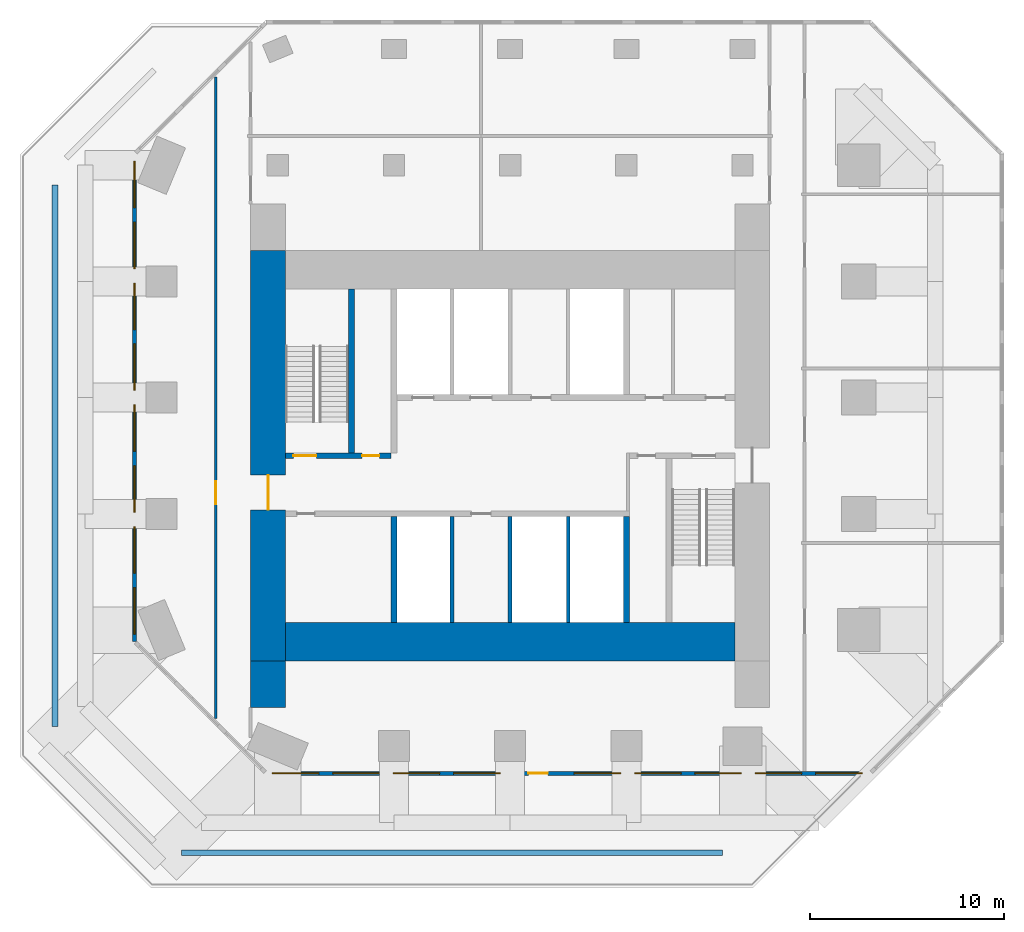
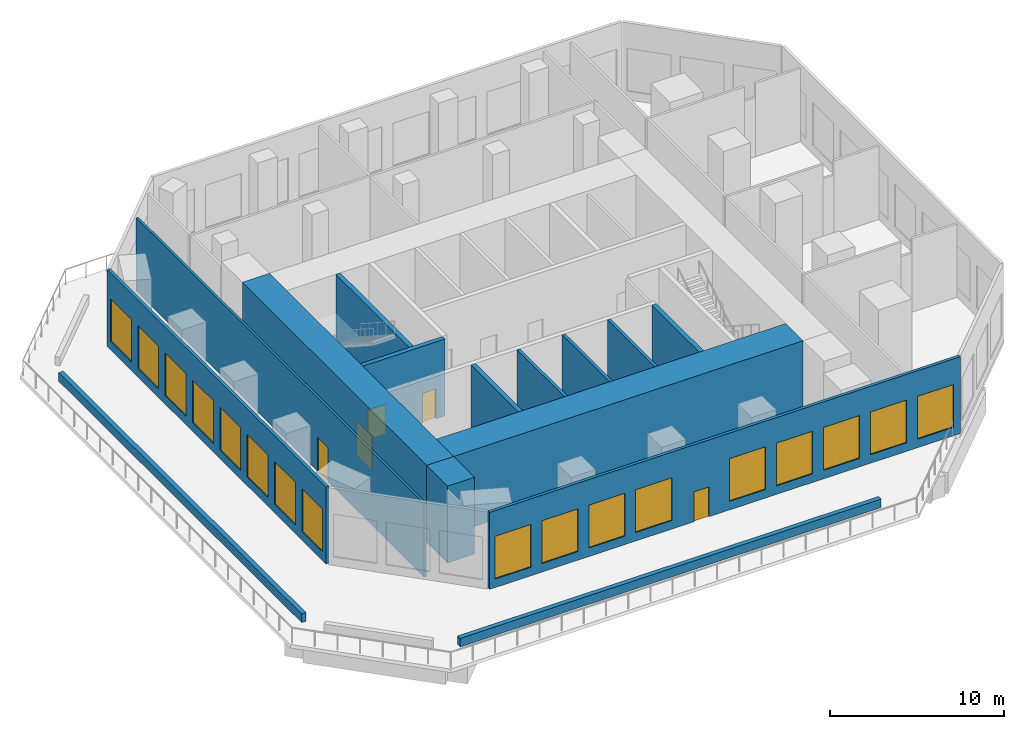
# One storey, part 2 of 6: 17 windows, 15 walls, 5 doors, 22 openings.
"""IFC4 building model written with IfcOpenShell, lengths in metres."""

from ifc_helpers import new_model, si_unit, direction, frame, frame_2d, origin, place, context, subcontext, project, spatial, rectangle, extrude, material, layer, layer_set, type_object, element, fill, save


model = new_model("IFC4")

# Units and contexts
model_context = context("Model", 3, precision=1e-05, world=origin(), true_north=direction((0.0, 1.0)))
body_context = subcontext(model_context, "Body", "Model", "MODEL_VIEW")
ifc_project = project(units=[si_unit("LENGTHUNIT", "METRE"), si_unit("AREAUNIT", "SQUARE_METRE"), si_unit("VOLUMEUNIT", "CUBIC_METRE"), si_unit("PLANEANGLEUNIT", "RADIAN"), si_unit("MASSUNIT", "GRAM", prefix="KILO")], contexts=[model_context])

# Site, building, storey
site_placement = place(None, origin())
site = spatial("IfcSite", under=ifc_project, at=site_placement, CompositionType="ELEMENT")
building_placement = place(site_placement, origin())
building = spatial("IfcBuilding", under=site, at=building_placement, Name="Highveld Stack Headquarters", CompositionType="ELEMENT")
storey_placement = place(building_placement, frame((0.0, 0.0, 239.60009765625)))
storey = spatial("IfcBuildingStorey", under=building, at=storey_placement, Name="L59", CompositionType="ELEMENT", Elevation=239.60009765625)

# Wall, opening, door
ifc_material_1 = material(Name="Concrete C60/75", Category="concrete")
ifc_layer_1 = layer(ifc_material_1, 1.800048828125)
ifc_layer_set_1 = layer_set([ifc_layer_1], Name="Concrete C60/75")
wall_type_1 = type_object("IfcWallType", Name="CORE WALL 1800 C60/75", PredefinedType="SHEAR", material=ifc_layer_set_1)
wall_1_placement = place(storey_placement, frame((-6.5, -7.60009765625, 0.0), z_axis=(0.0, 0.0, 1.0), x_axis=(0.0, 1.0, 0.0)))
wall_1 = element("IfcWall", 1, at=wall_1_placement, inside=storey, type_object=wall_type_1, Name="Core wall W L59", PredefinedType="SHEAR", context=body_context, shape_type="SweptSolid", body=[
    extrude(rectangle(XDim=21.2001953125, YDim=1.800048828125, at=frame_2d((10.60009765625, 0.0))), origin(), (0.0, 0.0, 1.0), 5.39990234375),
])
opening_1_placement = place(wall_1_placement, frame((7.800048828125, 0.0, 0.0)))
opening_1 = element("IfcOpeningElement", 2, at=opening_1_placement, cuts=wall_1, Name="Opening L59-02", PredefinedType="OPENING", context=body_context, shape_type="SweptSolid", body=[
    extrude(rectangle(XDim=1.800048828125, YDim=2.39990234375, at=frame_2d((0.89990234375, 1.199951171875))), frame((0.0, 0.909912109375, 0.0), z_axis=(0.0, -1.0, 0.0), x_axis=(1.0, 0.0, 0.0)), (0.0, 0.0, 1.0), 1.820068359375),
])
ifc_material_2 = material(Name="Steel fire door", Category="steel")
door_type_1 = type_object("IfcDoorType", Name="LOBBY FIRE DOOR D4 1800x2400", OperationType="DOUBLE_DOOR_SINGLE_SWING", PredefinedType="DOOR", material=ifc_material_2)
door_1_placement = place(opening_1_placement, origin())
door_1 = element("IfcDoor", 3, at=door_1_placement, inside=storey, type_object=door_type_1, Name="Core west door L59", OperationType="DOUBLE_DOOR_SINGLE_SWING", OverallHeight=2.39990234375, OverallWidth=1.800048828125, PredefinedType="DOOR", context=body_context, shape_type="SweptSolid", body=[
    extrude(rectangle(XDim=1.800048828125, YDim=2.39990234375, at=frame_2d((0.89990234375, 1.199951171875))), frame((0.0, 0.02490234375, 0.0), z_axis=(0.0, -1.0, 0.0), x_axis=(1.0, 0.0, 0.0)), (0.0, 0.0, 1.0), 0.050048828125),
])
fill(opening_1, door_1)

# Wall
ifc_material_3 = material(Name="Concrete C60/75", Category="concrete")
ifc_layer_2 = layer(ifc_material_3, 2.0)
ifc_layer_set_2 = layer_set([ifc_layer_2], Name="Concrete C60/75")
wall_type_2 = type_object("IfcWallType", Name="CORE WALL 2000 C60/75", PredefinedType="SHEAR", material=ifc_layer_set_2)
wall_2_placement = place(storey_placement, frame((-5.60009765625, -6.60009765625, 0.0), z_axis=(0.0, 0.0, 1.0), x_axis=(1.0, 0.0, 0.0)))
element("IfcWall", 4, at=wall_2_placement, inside=storey, type_object=wall_type_2, Name="Core wall S L59", PredefinedType="SHEAR", context=body_context, shape_type="SweptSolid", body=[
    extrude(rectangle(XDim=23.2001953125, YDim=2.0, at=frame_2d((11.60009765625, 0.0))), origin(), (0.0, 0.0, 1.0), 5.39990234375),
])

# Wall, openings, doors
ifc_material_4 = material(Name="Concrete C60/75", Category="concrete")
ifc_layer_3 = layer(ifc_material_4, 0.300048828125)
ifc_layer_set_3 = layer_set([ifc_layer_3], Name="Concrete C60/75")
wall_type_3 = type_object("IfcWallType", Name="CORE WALL 300 C60/75", PredefinedType="SHEAR", material=ifc_layer_set_3)
wall_3_placement = place(storey_placement, frame((-5.60009765625, 3.0, 0.0), z_axis=(0.0, 0.0, 1.0), x_axis=(1.0, 0.0, 0.0)))
wall_3 = element("IfcWall", 5, at=wall_3_placement, inside=storey, type_object=wall_type_3, Name="Core wall I-Y3W L59", PredefinedType="SHEAR", context=body_context, shape_type="SweptSolid", body=[
    extrude(rectangle(XDim=5.4501953125, YDim=0.300048828125, at=frame_2d((2.72509765625, 0.0))), origin(), (0.0, 0.0, 1.0), 5.39990234375),
])
opening_2_placement = place(wall_3_placement, frame((0.39990234375, 0.0, 0.0)))
opening_2 = element("IfcOpeningElement", 6, at=opening_2_placement, cuts=wall_3, Name="Opening L59-04", PredefinedType="OPENING", context=body_context, shape_type="SweptSolid", body=[
    extrude(rectangle(XDim=1.199951171875, YDim=2.10009765625, at=frame_2d((0.60009765625, 1.050048828125))), frame((0.0, 0.159912109375, 0.0), z_axis=(0.0, -1.0, 0.0), x_axis=(1.0, 0.0, 0.0)), (0.0, 0.0, 1.0), 0.320068359375),
])
opening_3_placement = place(wall_3_placement, frame((3.949951171875, 0.0, 0.0)))
opening_3 = element("IfcOpeningElement", 7, at=opening_3_placement, cuts=wall_3, Name="Opening L59-05", PredefinedType="OPENING", context=body_context, shape_type="SweptSolid", body=[
    extrude(rectangle(XDim=0.89990234375, YDim=2.10009765625, at=frame_2d((0.449951171875, 1.050048828125))), frame((0.0, 0.159912109375, 0.0), z_axis=(0.0, -1.0, 0.0), x_axis=(1.0, 0.0, 0.0)), (0.0, 0.0, 1.0), 0.320068359375),
])
ifc_material_5 = material(Name="Steel fire door", Category="steel")
door_type_2 = type_object("IfcDoorType", Name="RISER ACCESS DOOR D5 900x2100", OperationType="SINGLE_SWING_LEFT", PredefinedType="DOOR", material=ifc_material_5)
door_2_placement = place(opening_3_placement, origin())
door_2 = element("IfcDoor", 8, at=door_2_placement, inside=storey, type_object=door_type_2, Name="Riser R1 door L59", OperationType="SINGLE_SWING_RIGHT", OverallHeight=2.10009765625, OverallWidth=0.89990234375, PredefinedType="DOOR", context=body_context, shape_type="SweptSolid", body=[
    extrude(rectangle(XDim=0.89990234375, YDim=2.10009765625, at=frame_2d((0.449951171875, 1.050048828125))), frame((0.0, 0.02490234375, 0.0), z_axis=(0.0, -1.0, 0.0), x_axis=(1.0, 0.0, 0.0)), (0.0, 0.0, 1.0), 0.050048828125),
])
fill(opening_3, door_2)
ifc_material_6 = material(Name="Steel fire door", Category="steel")
door_type_3 = type_object("IfcDoorType", Name="STAIR FIRE DOOR D3 1200x2100", OperationType="SINGLE_SWING_LEFT", PredefinedType="DOOR", material=ifc_material_6)
door_3_placement = place(opening_2_placement, origin())
door_3 = element("IfcDoor", 9, at=door_3_placement, inside=storey, type_object=door_type_3, Name="Stair S1 door L59", OperationType="SINGLE_SWING_LEFT", OverallHeight=2.10009765625, OverallWidth=1.199951171875, PredefinedType="DOOR", context=body_context, shape_type="SweptSolid", body=[
    extrude(rectangle(XDim=1.199951171875, YDim=2.10009765625, at=frame_2d((0.60009765625, 1.050048828125))), frame((0.0, 0.02490234375, 0.0), z_axis=(0.0, -1.0, 0.0), x_axis=(1.0, 0.0, 0.0)), (0.0, 0.0, 1.0), 0.050048828125),
])
fill(opening_2, door_3)

# Walls
for number, where, z_axis, x_axis, name in (
    (10, (0.0, -5.60009765625, 0.0), (0.0, 0.0, 1.0), (0.0, 1.0, 0.0), "Core wall I-X0S L59"),
    (11, (12.0, -5.60009765625, 0.0), (0.0, 0.0, 1.0), (0.0, 1.0, 0.0), "Core wall I-X12S L59"),
):
    element("IfcWall", number, at=place(storey_placement, frame(where, z_axis=z_axis, x_axis=x_axis)), inside=storey, type_object=wall_type_3, Name=name, PredefinedType="SHEAR", context=body_context, shape_type="SweptSolid", body=[
        extrude(rectangle(XDim=5.4501953125, YDim=0.300048828125, at=frame_2d((2.72509765625, 0.0))), origin(), (0.0, 0.0, 1.0), 5.39990234375),
    ])
wall_4_placement = place(storey_placement, frame((-2.199951171875, 3.14990234375, 0.0), z_axis=(0.0, 0.0, 1.0), x_axis=(0.0, 1.0, 0.0)))
element("IfcWall", 12, at=wall_4_placement, inside=storey, type_object=wall_type_3, Name="Core wall I-RW L59", PredefinedType="SHEAR", context=body_context, shape_type="SweptSolid", body=[
    extrude(rectangle(XDim=8.4501953125, YDim=0.300048828125, at=frame_2d((4.22509765625, 0.0))), origin(), (0.0, 0.0, 1.0), 5.39990234375),
])
ifc_material_7 = material(Name="Concrete C60/75", Category="concrete")
ifc_layer_4 = layer(ifc_material_7, 1.800048828125)
ifc_layer_set_4 = layer_set([ifc_layer_4], Name="Concrete C60/75")
wall_type_4 = type_object("IfcWallType", Name="CORE WING WALL 1800 C60/75", PredefinedType="SHEAR", material=ifc_layer_set_4)
wall_5_placement = place(storey_placement, frame((-6.5, -10.0, 0.0), z_axis=(0.0, 0.0, 1.0), x_axis=(0.0, 1.0, 0.0)))
element("IfcWall", 13, at=wall_5_placement, inside=storey, type_object=wall_type_4, Name="Core wing wall WS L59", PredefinedType="SHEAR", context=body_context, shape_type="SweptSolid", body=[
    extrude(rectangle(XDim=2.39990234375, YDim=1.800048828125, at=frame_2d((1.199951171875, 0.0))), origin(), (0.0, 0.0, 1.0), 5.39990234375),
])

# Wall, opening, door
ifc_material_8 = material(Name="Concrete blockwork, plastered", Category="masonry")
ifc_layer_5 = layer(ifc_material_8, 0.14990234375)
ifc_layer_set_5 = layer_set([ifc_layer_5], Name="Concrete blockwork, plastered")
wall_type_5 = type_object("IfcWallType", Name="FIRE PARTITION 150 BLOCKWORK", PredefinedType="PARTITIONING", material=ifc_layer_set_5)
wall_6_placement = place(storey_placement, frame((-9.199951171875, -10.555908203125, 0.0), z_axis=(0.0, 0.0, 1.0), x_axis=(0.0, 1.0, 0.0)))
wall_6 = element("IfcWall", 14, at=wall_6_placement, inside=storey, type_object=wall_type_5, Name="Partition office neighbourhood L59", PredefinedType="PARTITIONING", context=body_context, shape_type="SweptSolid", body=[
    extrude(rectangle(XDim=33.11181640625, YDim=0.14990234375, at=frame_2d((16.555908203125, 0.0))), origin(), (0.0, 0.0, 1.0), 5.14990234375),
])
opening_4_placement = place(wall_6_placement, frame((11.049072265625, 0.0, 0.0)))
opening_4 = element("IfcOpeningElement", 15, at=opening_4_placement, cuts=wall_6, Name="Opening L59-15", PredefinedType="OPENING", context=body_context, shape_type="SweptSolid", body=[
    extrude(rectangle(XDim=1.199951171875, YDim=2.39990234375, at=frame_2d((0.60009765625, 1.199951171875))), frame((0.0, 0.0849609375, 0.0), z_axis=(0.0, -1.0, 0.0), x_axis=(1.0, 0.0, 0.0)), (0.0, 0.0, 1.0), 0.169921875),
])
ifc_material_9 = material(Name="Steel fire door", Category="steel")
door_type_4 = type_object("IfcDoorType", Name="PLANT FIRE DOOR D7 1200x2400", OperationType="SINGLE_SWING_LEFT", PredefinedType="DOOR", material=ifc_material_9)
door_4_placement = place(opening_4_placement, origin())
door_4 = element("IfcDoor", 16, at=door_4_placement, inside=storey, type_object=door_type_4, Name="Plant room door L59", OperationType="SINGLE_SWING_LEFT", OverallHeight=2.39990234375, OverallWidth=1.199951171875, PredefinedType="DOOR", context=body_context, shape_type="SweptSolid", body=[
    extrude(rectangle(XDim=1.199951171875, YDim=2.39990234375, at=frame_2d((0.60009765625, 1.199951171875))), frame((0.0, 0.02490234375, 0.0), z_axis=(0.0, -1.0, 0.0), x_axis=(1.0, 0.0, 0.0)), (0.0, 0.0, 1.0), 0.050048828125),
])
fill(opening_4, door_4)

# Walls
ifc_material_10 = material(Name="Concrete blockwork, fair-faced", Category="masonry")
ifc_layer_6 = layer(ifc_material_10, 0.199951171875)
ifc_layer_set_6 = layer_set([ifc_layer_6], Name="Concrete blockwork, fair-faced")
wall_type_6 = type_object("IfcWallType", Name="LIFT SHAFT ENCLOSURE WALL 200 BLOCKWORK", PredefinedType="SOLIDWALL", material=ifc_layer_set_6)
for number, where, z_axis, x_axis, name in (
    (17, (3.0, -5.60009765625, 0.0), (0.0, 0.0, 1.0), (0.0, 1.0, 0.0), "Lift shaft wall L59"),
    (18, (6.0, -5.60009765625, 0.0), (0.0, 0.0, 1.0), (0.0, 1.0, 0.0), "Lift shaft wall L59"),
    (19, (9.0, -5.60009765625, 0.0), (0.0, 0.0, 1.0), (0.0, 1.0, 0.0), "Lift shaft wall L59"),
):
    element("IfcWall", number, at=place(storey_placement, frame(where, z_axis=z_axis, x_axis=x_axis)), inside=storey, type_object=wall_type_6, Name=name, PredefinedType="SOLIDWALL", context=body_context, shape_type="SweptSolid", body=[
        extrude(rectangle(XDim=5.4501953125, YDim=0.199951171875, at=frame_2d((2.72509765625, 0.0))), origin(), (0.0, 0.0, 1.0), 5.39990234375),
    ])
ifc_material_11 = material(Name="Concrete C40/50, precast planter", Category="concrete")
ifc_layer_7 = layer(ifc_material_11, 0.300048828125)
ifc_layer_set_7 = layer_set([ifc_layer_7], Name="Concrete C40/50, precast planter")
wall_type_7 = type_object("IfcWallType", Name="PLANTER WALL PL1 300", PredefinedType="USERDEFINED", material=ifc_layer_set_7)
for number, where, z_axis, x_axis, name in (
    (20, (16.976318359375, -17.5, 0.0), (0.0, 0.0, 1.0), (-1.0, 0.0, 0.0), "Planter L59 1.2"),
    (21, (-17.5, -10.976318359375, 0.0), (0.0, 0.0, 1.0), (0.0, 1.0, 0.0), "Planter L59 1.4"),
):
    element("IfcWall", number, at=place(storey_placement, frame(where, z_axis=z_axis, x_axis=x_axis)), inside=storey, type_object=wall_type_7, Name=name, ObjectType="PLANTER", PredefinedType="USERDEFINED", context=body_context, shape_type="SweptSolid", body=[
        extrude(rectangle(XDim=27.95263671875, YDim=0.300048828125, at=frame_2d((13.976318359375, 0.0))), origin(), (0.0, 0.0, 1.0), 0.599853515625),
    ])

# Wall, openings, windows, door
ifc_material_12 = material(Name="Concrete C40/50, precast cladding", Category="concrete")
ifc_layer_8 = layer(ifc_material_12, 0.199951171875)
ifc_layer_set_8 = layer_set([ifc_layer_8], Name="Concrete C40/50, precast cladding")
wall_type_8 = type_object("IfcWallType", Name="PRECAST LOUVRE WALL 200", PredefinedType="USERDEFINED", material=ifc_layer_set_8)
wall_7_placement = place(storey_placement, frame((-6.6298828125, -13.39990234375, 0.0), z_axis=(0.0, 0.0, 1.0), x_axis=(1.0, 0.0, 0.0)))
wall_7 = element("IfcWall", 22, at=wall_7_placement, inside=storey, type_object=wall_type_8, Name="Precast louvre wall L59 S", ObjectType="PRECAST CLADDING", PredefinedType="USERDEFINED", context=body_context, shape_type="SweptSolid", body=[
    extrude(rectangle(XDim=31.259765625, YDim=0.199951171875, at=frame_2d((15.6298828125, 0.0))), origin(), (0.0, 0.0, 1.0), 5.39990234375),
])
opening_5_placement = place(wall_7_placement, frame((0.35791015625, 0.0, 0.60009765625)))
opening_5 = element("IfcOpeningElement", 23, at=opening_5_placement, cuts=wall_7, Name="Opening L1", PredefinedType="OPENING", context=body_context, shape_type="SweptSolid", body=[
    extrude(rectangle(XDim=2.39990234375, YDim=3.0, at=frame_2d((1.199951171875, 1.5))), frame((0.0, 0.10986328125, 0.0), z_axis=(0.0, -1.0, 0.0), x_axis=(1.0, 0.0, 0.0)), (0.0, 0.0, 1.0), 0.219970703125),
])
opening_6_placement = place(wall_7_placement, frame((3.47412109375, 0.0, 0.60009765625)))
opening_6 = element("IfcOpeningElement", 24, at=opening_6_placement, cuts=wall_7, Name="Opening L1", PredefinedType="OPENING", context=body_context, shape_type="SweptSolid", body=[
    extrude(rectangle(XDim=2.39990234375, YDim=3.0, at=frame_2d((1.199951171875, 1.5))), frame((0.0, 0.10986328125, 0.0), z_axis=(0.0, -1.0, 0.0), x_axis=(1.0, 0.0, 0.0)), (0.0, 0.0, 1.0), 0.219970703125),
])
opening_7_placement = place(wall_7_placement, frame((6.58984375, 0.0, 0.60009765625)))
opening_7 = element("IfcOpeningElement", 25, at=opening_7_placement, cuts=wall_7, Name="Opening L1", PredefinedType="OPENING", context=body_context, shape_type="SweptSolid", body=[
    extrude(rectangle(XDim=2.39990234375, YDim=3.0, at=frame_2d((1.199951171875, 1.5))), frame((0.0, 0.10986328125, 0.0), z_axis=(0.0, -1.0, 0.0), x_axis=(1.0, 0.0, 0.0)), (0.0, 0.0, 1.0), 0.219970703125),
])
opening_8_placement = place(wall_7_placement, frame((9.705810546875, 0.0, 0.60009765625)))
opening_8 = element("IfcOpeningElement", 26, at=opening_8_placement, cuts=wall_7, Name="Opening L1", PredefinedType="OPENING", context=body_context, shape_type="SweptSolid", body=[
    extrude(rectangle(XDim=2.39990234375, YDim=3.0, at=frame_2d((1.199951171875, 1.5))), frame((0.0, 0.10986328125, 0.0), z_axis=(0.0, -1.0, 0.0), x_axis=(1.0, 0.0, 0.0)), (0.0, 0.0, 1.0), 0.219970703125),
])
opening_9_placement = place(wall_7_placement, frame((13.572021484375, 0.0, 0.0)))
opening_9 = element("IfcOpeningElement", 27, at=opening_9_placement, cuts=wall_7, Name="Opening L59-01", PredefinedType="OPENING", context=body_context, shape_type="SweptSolid", body=[
    extrude(rectangle(XDim=1.0, YDim=2.10009765625, at=frame_2d((0.5, 1.050048828125))), frame((0.0, 0.10986328125, 0.0), z_axis=(0.0, -1.0, 0.0), x_axis=(1.0, 0.0, 0.0)), (0.0, 0.0, 1.0), 0.219970703125),
])
opening_10_placement = place(wall_7_placement, frame((15.93798828125, 0.0, 0.60009765625)))
opening_10 = element("IfcOpeningElement", 28, at=opening_10_placement, cuts=wall_7, Name="Opening L1", PredefinedType="OPENING", context=body_context, shape_type="SweptSolid", body=[
    extrude(rectangle(XDim=2.39990234375, YDim=3.0, at=frame_2d((1.199951171875, 1.5))), frame((0.0, 0.10986328125, 0.0), z_axis=(0.0, -1.0, 0.0), x_axis=(1.0, 0.0, 0.0)), (0.0, 0.0, 1.0), 0.219970703125),
])
opening_11_placement = place(wall_7_placement, frame((19.053955078125, 0.0, 0.60009765625)))
opening_11 = element("IfcOpeningElement", 29, at=opening_11_placement, cuts=wall_7, Name="Opening L1", PredefinedType="OPENING", context=body_context, shape_type="SweptSolid", body=[
    extrude(rectangle(XDim=2.39990234375, YDim=3.0, at=frame_2d((1.199951171875, 1.5))), frame((0.0, 0.10986328125, 0.0), z_axis=(0.0, -1.0, 0.0), x_axis=(1.0, 0.0, 0.0)), (0.0, 0.0, 1.0), 0.219970703125),
])
opening_12_placement = place(wall_7_placement, frame((22.169921875, 0.0, 0.60009765625)))
opening_12 = element("IfcOpeningElement", 30, at=opening_12_placement, cuts=wall_7, Name="Opening L1", PredefinedType="OPENING", context=body_context, shape_type="SweptSolid", body=[
    extrude(rectangle(XDim=2.39990234375, YDim=3.0, at=frame_2d((1.199951171875, 1.5))), frame((0.0, 0.10986328125, 0.0), z_axis=(0.0, -1.0, 0.0), x_axis=(1.0, 0.0, 0.0)), (0.0, 0.0, 1.0), 0.219970703125),
])
opening_13_placement = place(wall_7_placement, frame((25.285888671875, 0.0, 0.60009765625)))
opening_13 = element("IfcOpeningElement", 31, at=opening_13_placement, cuts=wall_7, Name="Opening L1", PredefinedType="OPENING", context=body_context, shape_type="SweptSolid", body=[
    extrude(rectangle(XDim=2.39990234375, YDim=3.0, at=frame_2d((1.199951171875, 1.5))), frame((0.0, 0.10986328125, 0.0), z_axis=(0.0, -1.0, 0.0), x_axis=(1.0, 0.0, 0.0)), (0.0, 0.0, 1.0), 0.219970703125),
])
opening_14_placement = place(wall_7_placement, frame((28.40185546875, 0.0, 0.60009765625)))
opening_14 = element("IfcOpeningElement", 32, at=opening_14_placement, cuts=wall_7, Name="Opening L1", PredefinedType="OPENING", context=body_context, shape_type="SweptSolid", body=[
    extrude(rectangle(XDim=2.39990234375, YDim=3.0, at=frame_2d((1.199951171875, 1.5))), frame((0.0, 0.10986328125, 0.0), z_axis=(0.0, -1.0, 0.0), x_axis=(1.0, 0.0, 0.0)), (0.0, 0.0, 1.0), 0.219970703125),
])
ifc_material_13 = material(Name="Aluminium bronze anodised", Category="aluminium")
window_type = type_object("IfcWindowType", Name="LOUVRE L1 2400x3000", PartitioningType="SINGLE_PANEL", PredefinedType="USERDEFINED", material=ifc_material_13)
window_1_placement = place(opening_5_placement, origin())
window_1 = element("IfcWindow", 33, at=window_1_placement, inside=storey, type_object=window_type, Name="Louvre L59 S 1", ObjectType="LOUVRE", OverallHeight=3.0, OverallWidth=2.39990234375, PartitioningType="SINGLE_PANEL", PredefinedType="USERDEFINED", context=body_context, shape_type="SweptSolid", body=[
    extrude(rectangle(XDim=2.39990234375, YDim=3.0, at=frame_2d((1.199951171875, 1.5))), frame((0.0, 0.030029296875, 0.0), z_axis=(0.0, -1.0, 0.0), x_axis=(1.0, 0.0, 0.0)), (0.0, 0.0, 1.0), 0.06005859375),
])
fill(opening_5, window_1)
window_2_placement = place(opening_6_placement, origin())
window_2 = element("IfcWindow", 34, at=window_2_placement, inside=storey, type_object=window_type, Name="Louvre L59 S 2", ObjectType="LOUVRE", OverallHeight=3.0, OverallWidth=2.39990234375, PartitioningType="SINGLE_PANEL", PredefinedType="USERDEFINED", context=body_context, shape_type="SweptSolid", body=[
    extrude(rectangle(XDim=2.39990234375, YDim=3.0, at=frame_2d((1.199951171875, 1.5))), frame((0.0, 0.030029296875, 0.0), z_axis=(0.0, -1.0, 0.0), x_axis=(1.0, 0.0, 0.0)), (0.0, 0.0, 1.0), 0.06005859375),
])
fill(opening_6, window_2)
window_3_placement = place(opening_7_placement, origin())
window_3 = element("IfcWindow", 35, at=window_3_placement, inside=storey, type_object=window_type, Name="Louvre L59 S 3", ObjectType="LOUVRE", OverallHeight=3.0, OverallWidth=2.39990234375, PartitioningType="SINGLE_PANEL", PredefinedType="USERDEFINED", context=body_context, shape_type="SweptSolid", body=[
    extrude(rectangle(XDim=2.39990234375, YDim=3.0, at=frame_2d((1.199951171875, 1.5))), frame((0.0, 0.030029296875, 0.0), z_axis=(0.0, -1.0, 0.0), x_axis=(1.0, 0.0, 0.0)), (0.0, 0.0, 1.0), 0.06005859375),
])
fill(opening_7, window_3)
window_4_placement = place(opening_8_placement, origin())
window_4 = element("IfcWindow", 36, at=window_4_placement, inside=storey, type_object=window_type, Name="Louvre L59 S 4", ObjectType="LOUVRE", OverallHeight=3.0, OverallWidth=2.39990234375, PartitioningType="SINGLE_PANEL", PredefinedType="USERDEFINED", context=body_context, shape_type="SweptSolid", body=[
    extrude(rectangle(XDim=2.39990234375, YDim=3.0, at=frame_2d((1.199951171875, 1.5))), frame((0.0, 0.030029296875, 0.0), z_axis=(0.0, -1.0, 0.0), x_axis=(1.0, 0.0, 0.0)), (0.0, 0.0, 1.0), 0.06005859375),
])
fill(opening_8, window_4)
window_5_placement = place(opening_10_placement, origin())
window_5 = element("IfcWindow", 37, at=window_5_placement, inside=storey, type_object=window_type, Name="Louvre L59 S 6", ObjectType="LOUVRE", OverallHeight=3.0, OverallWidth=2.39990234375, PartitioningType="SINGLE_PANEL", PredefinedType="USERDEFINED", context=body_context, shape_type="SweptSolid", body=[
    extrude(rectangle(XDim=2.39990234375, YDim=3.0, at=frame_2d((1.199951171875, 1.5))), frame((0.0, 0.030029296875, 0.0), z_axis=(0.0, -1.0, 0.0), x_axis=(1.0, 0.0, 0.0)), (0.0, 0.0, 1.0), 0.06005859375),
])
fill(opening_10, window_5)
window_6_placement = place(opening_11_placement, origin())
window_6 = element("IfcWindow", 38, at=window_6_placement, inside=storey, type_object=window_type, Name="Louvre L59 S 7", ObjectType="LOUVRE", OverallHeight=3.0, OverallWidth=2.39990234375, PartitioningType="SINGLE_PANEL", PredefinedType="USERDEFINED", context=body_context, shape_type="SweptSolid", body=[
    extrude(rectangle(XDim=2.39990234375, YDim=3.0, at=frame_2d((1.199951171875, 1.5))), frame((0.0, 0.030029296875, 0.0), z_axis=(0.0, -1.0, 0.0), x_axis=(1.0, 0.0, 0.0)), (0.0, 0.0, 1.0), 0.06005859375),
])
fill(opening_11, window_6)
window_7_placement = place(opening_12_placement, origin())
window_7 = element("IfcWindow", 39, at=window_7_placement, inside=storey, type_object=window_type, Name="Louvre L59 S 8", ObjectType="LOUVRE", OverallHeight=3.0, OverallWidth=2.39990234375, PartitioningType="SINGLE_PANEL", PredefinedType="USERDEFINED", context=body_context, shape_type="SweptSolid", body=[
    extrude(rectangle(XDim=2.39990234375, YDim=3.0, at=frame_2d((1.199951171875, 1.5))), frame((0.0, 0.030029296875, 0.0), z_axis=(0.0, -1.0, 0.0), x_axis=(1.0, 0.0, 0.0)), (0.0, 0.0, 1.0), 0.06005859375),
])
fill(opening_12, window_7)
window_8_placement = place(opening_13_placement, origin())
window_8 = element("IfcWindow", 40, at=window_8_placement, inside=storey, type_object=window_type, Name="Louvre L59 S 9", ObjectType="LOUVRE", OverallHeight=3.0, OverallWidth=2.39990234375, PartitioningType="SINGLE_PANEL", PredefinedType="USERDEFINED", context=body_context, shape_type="SweptSolid", body=[
    extrude(rectangle(XDim=2.39990234375, YDim=3.0, at=frame_2d((1.199951171875, 1.5))), frame((0.0, 0.030029296875, 0.0), z_axis=(0.0, -1.0, 0.0), x_axis=(1.0, 0.0, 0.0)), (0.0, 0.0, 1.0), 0.06005859375),
])
fill(opening_13, window_8)
window_9_placement = place(opening_14_placement, origin())
window_9 = element("IfcWindow", 41, at=window_9_placement, inside=storey, type_object=window_type, Name="Louvre L59 S 10", ObjectType="LOUVRE", OverallHeight=3.0, OverallWidth=2.39990234375, PartitioningType="SINGLE_PANEL", PredefinedType="USERDEFINED", context=body_context, shape_type="SweptSolid", body=[
    extrude(rectangle(XDim=2.39990234375, YDim=3.0, at=frame_2d((1.199951171875, 1.5))), frame((0.0, 0.030029296875, 0.0), z_axis=(0.0, -1.0, 0.0), x_axis=(1.0, 0.0, 0.0)), (0.0, 0.0, 1.0), 0.06005859375),
])
fill(opening_14, window_9)
ifc_material_14 = material(Name="Galvanised steel louvred door, weather-sealed", Category="steel")
door_type_5 = type_object("IfcDoorType", Name="PLANT ROOF DOOR D13 1000x2100", OperationType="SINGLE_SWING_RIGHT", PredefinedType="DOOR", material=ifc_material_14)
door_5_placement = place(opening_9_placement, origin())
door_5 = element("IfcDoor", 42, at=door_5_placement, inside=storey, type_object=door_type_5, Name="Planted roof door L59 S", OperationType="SINGLE_SWING_LEFT", OverallHeight=2.10009765625, OverallWidth=1.0, PredefinedType="DOOR", context=body_context, shape_type="SweptSolid", body=[
    extrude(rectangle(XDim=1.0, YDim=2.10009765625, at=frame_2d((0.5, 1.050048828125))), frame((0.0, 0.02490234375, 0.0), z_axis=(0.0, -1.0, 0.0), x_axis=(1.0, 0.0, 0.0)), (0.0, 0.0, 1.0), 0.050048828125),
])
fill(opening_9, door_5)

# Wall, openings, windows
wall_8_placement = place(storey_placement, frame((-13.39990234375, 18.579833984375, 0.0), z_axis=(0.0, 0.0, 1.0), x_axis=(0.0, -1.0, 0.0)))
wall_8 = element("IfcWall", 43, at=wall_8_placement, inside=storey, type_object=wall_type_8, Name="Precast louvre wall L59 W", ObjectType="PRECAST CLADDING", PredefinedType="USERDEFINED", context=body_context, shape_type="SweptSolid", body=[
    extrude(rectangle(XDim=25.15966796875, YDim=0.199951171875, at=frame_2d((12.579833984375, 0.0))), origin(), (0.0, 0.0, 1.0), 5.39990234375),
])
opening_15_placement = place(wall_8_placement, frame((0.37255859375, 0.0, 0.60009765625)))
opening_15 = element("IfcOpeningElement", 44, at=opening_15_placement, cuts=wall_8, Name="Opening L1", PredefinedType="OPENING", context=body_context, shape_type="SweptSolid", body=[
    extrude(rectangle(XDim=2.39990234375, YDim=3.0, at=frame_2d((1.199951171875, 1.5))), frame((0.0, 0.10986328125, 0.0), z_axis=(0.0, -1.0, 0.0), x_axis=(1.0, 0.0, 0.0)), (0.0, 0.0, 1.0), 0.219970703125),
])
opening_16_placement = place(wall_8_placement, frame((3.517578125, 0.0, 0.60009765625)))
opening_16 = element("IfcOpeningElement", 45, at=opening_16_placement, cuts=wall_8, Name="Opening L1", PredefinedType="OPENING", context=body_context, shape_type="SweptSolid", body=[
    extrude(rectangle(XDim=2.39990234375, YDim=3.0, at=frame_2d((1.199951171875, 1.5))), frame((0.0, 0.10986328125, 0.0), z_axis=(0.0, -1.0, 0.0), x_axis=(1.0, 0.0, 0.0)), (0.0, 0.0, 1.0), 0.219970703125),
])
opening_17_placement = place(wall_8_placement, frame((6.662353515625, 0.0, 0.60009765625)))
opening_17 = element("IfcOpeningElement", 46, at=opening_17_placement, cuts=wall_8, Name="Opening L1", PredefinedType="OPENING", context=body_context, shape_type="SweptSolid", body=[
    extrude(rectangle(XDim=2.39990234375, YDim=3.0, at=frame_2d((1.199951171875, 1.5))), frame((0.0, 0.10986328125, 0.0), z_axis=(0.0, -1.0, 0.0), x_axis=(1.0, 0.0, 0.0)), (0.0, 0.0, 1.0), 0.219970703125),
])
opening_18_placement = place(wall_8_placement, frame((9.807373046875, 0.0, 0.60009765625)))
opening_18 = element("IfcOpeningElement", 47, at=opening_18_placement, cuts=wall_8, Name="Opening L1", PredefinedType="OPENING", context=body_context, shape_type="SweptSolid", body=[
    extrude(rectangle(XDim=2.39990234375, YDim=3.0, at=frame_2d((1.199951171875, 1.5))), frame((0.0, 0.10986328125, 0.0), z_axis=(0.0, -1.0, 0.0), x_axis=(1.0, 0.0, 0.0)), (0.0, 0.0, 1.0), 0.219970703125),
])
opening_19_placement = place(wall_8_placement, frame((12.952392578125, 0.0, 0.60009765625)))
opening_19 = element("IfcOpeningElement", 48, at=opening_19_placement, cuts=wall_8, Name="Opening L1", PredefinedType="OPENING", context=body_context, shape_type="SweptSolid", body=[
    extrude(rectangle(XDim=2.39990234375, YDim=3.0, at=frame_2d((1.199951171875, 1.5))), frame((0.0, 0.10986328125, 0.0), z_axis=(0.0, -1.0, 0.0), x_axis=(1.0, 0.0, 0.0)), (0.0, 0.0, 1.0), 0.219970703125),
])
opening_20_placement = place(wall_8_placement, frame((16.097412109375, 0.0, 0.60009765625)))
opening_20 = element("IfcOpeningElement", 49, at=opening_20_placement, cuts=wall_8, Name="Opening L1", PredefinedType="OPENING", context=body_context, shape_type="SweptSolid", body=[
    extrude(rectangle(XDim=2.39990234375, YDim=3.0, at=frame_2d((1.199951171875, 1.5))), frame((0.0, 0.10986328125, 0.0), z_axis=(0.0, -1.0, 0.0), x_axis=(1.0, 0.0, 0.0)), (0.0, 0.0, 1.0), 0.219970703125),
])
opening_21_placement = place(wall_8_placement, frame((19.2421875, 0.0, 0.60009765625)))
opening_21 = element("IfcOpeningElement", 50, at=opening_21_placement, cuts=wall_8, Name="Opening L1", PredefinedType="OPENING", context=body_context, shape_type="SweptSolid", body=[
    extrude(rectangle(XDim=2.39990234375, YDim=3.0, at=frame_2d((1.199951171875, 1.5))), frame((0.0, 0.10986328125, 0.0), z_axis=(0.0, -1.0, 0.0), x_axis=(1.0, 0.0, 0.0)), (0.0, 0.0, 1.0), 0.219970703125),
])
opening_22_placement = place(wall_8_placement, frame((22.38720703125, 0.0, 0.60009765625)))
opening_22 = element("IfcOpeningElement", 51, at=opening_22_placement, cuts=wall_8, Name="Opening L1", PredefinedType="OPENING", context=body_context, shape_type="SweptSolid", body=[
    extrude(rectangle(XDim=2.39990234375, YDim=3.0, at=frame_2d((1.199951171875, 1.5))), frame((0.0, 0.10986328125, 0.0), z_axis=(0.0, -1.0, 0.0), x_axis=(1.0, 0.0, 0.0)), (0.0, 0.0, 1.0), 0.219970703125),
])
window_10_placement = place(opening_15_placement, origin())
window_10 = element("IfcWindow", 52, at=window_10_placement, inside=storey, type_object=window_type, Name="Louvre L59 W 1", ObjectType="LOUVRE", OverallHeight=3.0, OverallWidth=2.39990234375, PartitioningType="SINGLE_PANEL", PredefinedType="USERDEFINED", context=body_context, shape_type="SweptSolid", body=[
    extrude(rectangle(XDim=2.39990234375, YDim=3.0, at=frame_2d((1.199951171875, 1.5))), frame((0.0, 0.030029296875, 0.0), z_axis=(0.0, -1.0, 0.0), x_axis=(1.0, 0.0, 0.0)), (0.0, 0.0, 1.0), 0.06005859375),
])
fill(opening_15, window_10)
window_11_placement = place(opening_16_placement, origin())
window_11 = element("IfcWindow", 53, at=window_11_placement, inside=storey, type_object=window_type, Name="Louvre L59 W 2", ObjectType="LOUVRE", OverallHeight=3.0, OverallWidth=2.39990234375, PartitioningType="SINGLE_PANEL", PredefinedType="USERDEFINED", context=body_context, shape_type="SweptSolid", body=[
    extrude(rectangle(XDim=2.39990234375, YDim=3.0, at=frame_2d((1.199951171875, 1.5))), frame((0.0, 0.030029296875, 0.0), z_axis=(0.0, -1.0, 0.0), x_axis=(1.0, 0.0, 0.0)), (0.0, 0.0, 1.0), 0.06005859375),
])
fill(opening_16, window_11)
window_12_placement = place(opening_17_placement, origin())
window_12 = element("IfcWindow", 54, at=window_12_placement, inside=storey, type_object=window_type, Name="Louvre L59 W 3", ObjectType="LOUVRE", OverallHeight=3.0, OverallWidth=2.39990234375, PartitioningType="SINGLE_PANEL", PredefinedType="USERDEFINED", context=body_context, shape_type="SweptSolid", body=[
    extrude(rectangle(XDim=2.39990234375, YDim=3.0, at=frame_2d((1.199951171875, 1.5))), frame((0.0, 0.030029296875, 0.0), z_axis=(0.0, -1.0, 0.0), x_axis=(1.0, 0.0, 0.0)), (0.0, 0.0, 1.0), 0.06005859375),
])
fill(opening_17, window_12)
window_13_placement = place(opening_18_placement, origin())
window_13 = element("IfcWindow", 55, at=window_13_placement, inside=storey, type_object=window_type, Name="Louvre L59 W 4", ObjectType="LOUVRE", OverallHeight=3.0, OverallWidth=2.39990234375, PartitioningType="SINGLE_PANEL", PredefinedType="USERDEFINED", context=body_context, shape_type="SweptSolid", body=[
    extrude(rectangle(XDim=2.39990234375, YDim=3.0, at=frame_2d((1.199951171875, 1.5))), frame((0.0, 0.030029296875, 0.0), z_axis=(0.0, -1.0, 0.0), x_axis=(1.0, 0.0, 0.0)), (0.0, 0.0, 1.0), 0.06005859375),
])
fill(opening_18, window_13)
window_14_placement = place(opening_19_placement, origin())
window_14 = element("IfcWindow", 56, at=window_14_placement, inside=storey, type_object=window_type, Name="Louvre L59 W 5", ObjectType="LOUVRE", OverallHeight=3.0, OverallWidth=2.39990234375, PartitioningType="SINGLE_PANEL", PredefinedType="USERDEFINED", context=body_context, shape_type="SweptSolid", body=[
    extrude(rectangle(XDim=2.39990234375, YDim=3.0, at=frame_2d((1.199951171875, 1.5))), frame((0.0, 0.030029296875, 0.0), z_axis=(0.0, -1.0, 0.0), x_axis=(1.0, 0.0, 0.0)), (0.0, 0.0, 1.0), 0.06005859375),
])
fill(opening_19, window_14)
window_15_placement = place(opening_20_placement, origin())
window_15 = element("IfcWindow", 57, at=window_15_placement, inside=storey, type_object=window_type, Name="Louvre L59 W 6", ObjectType="LOUVRE", OverallHeight=3.0, OverallWidth=2.39990234375, PartitioningType="SINGLE_PANEL", PredefinedType="USERDEFINED", context=body_context, shape_type="SweptSolid", body=[
    extrude(rectangle(XDim=2.39990234375, YDim=3.0, at=frame_2d((1.199951171875, 1.5))), frame((0.0, 0.030029296875, 0.0), z_axis=(0.0, -1.0, 0.0), x_axis=(1.0, 0.0, 0.0)), (0.0, 0.0, 1.0), 0.06005859375),
])
fill(opening_20, window_15)
window_16_placement = place(opening_21_placement, origin())
window_16 = element("IfcWindow", 58, at=window_16_placement, inside=storey, type_object=window_type, Name="Louvre L59 W 7", ObjectType="LOUVRE", OverallHeight=3.0, OverallWidth=2.39990234375, PartitioningType="SINGLE_PANEL", PredefinedType="USERDEFINED", context=body_context, shape_type="SweptSolid", body=[
    extrude(rectangle(XDim=2.39990234375, YDim=3.0, at=frame_2d((1.199951171875, 1.5))), frame((0.0, 0.030029296875, 0.0), z_axis=(0.0, -1.0, 0.0), x_axis=(1.0, 0.0, 0.0)), (0.0, 0.0, 1.0), 0.06005859375),
])
fill(opening_21, window_16)
window_17_placement = place(opening_22_placement, origin())
window_17 = element("IfcWindow", 59, at=window_17_placement, inside=storey, type_object=window_type, Name="Louvre L59 W 8", ObjectType="LOUVRE", OverallHeight=3.0, OverallWidth=2.39990234375, PartitioningType="SINGLE_PANEL", PredefinedType="USERDEFINED", context=body_context, shape_type="SweptSolid", body=[
    extrude(rectangle(XDim=2.39990234375, YDim=3.0, at=frame_2d((1.199951171875, 1.5))), frame((0.0, 0.030029296875, 0.0), z_axis=(0.0, -1.0, 0.0), x_axis=(1.0, 0.0, 0.0)), (0.0, 0.0, 1.0), 0.06005859375),
])
fill(opening_22, window_17)

save(model, "model.ifc")
